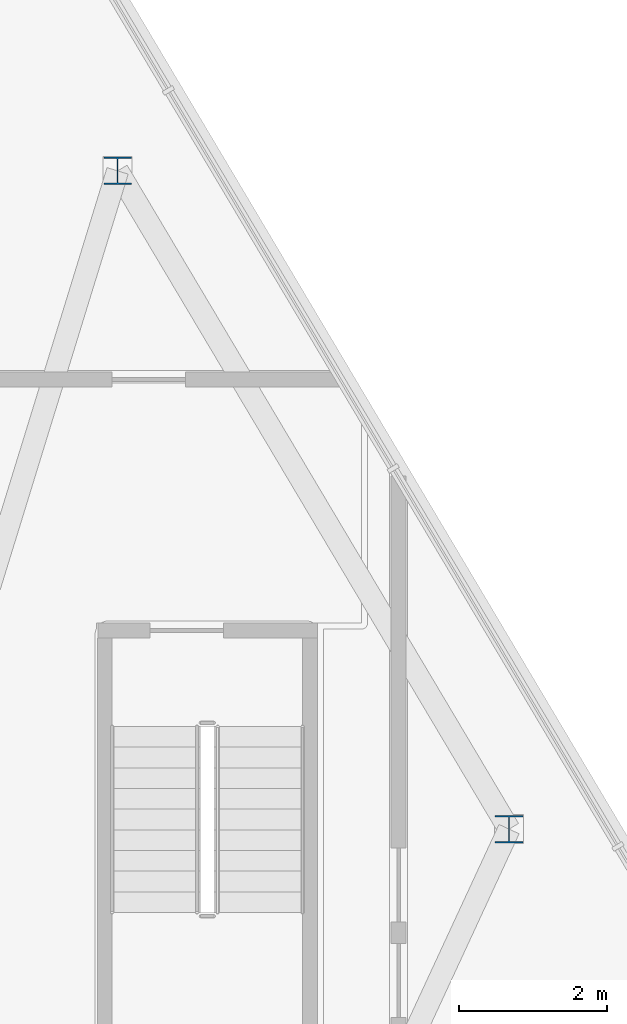
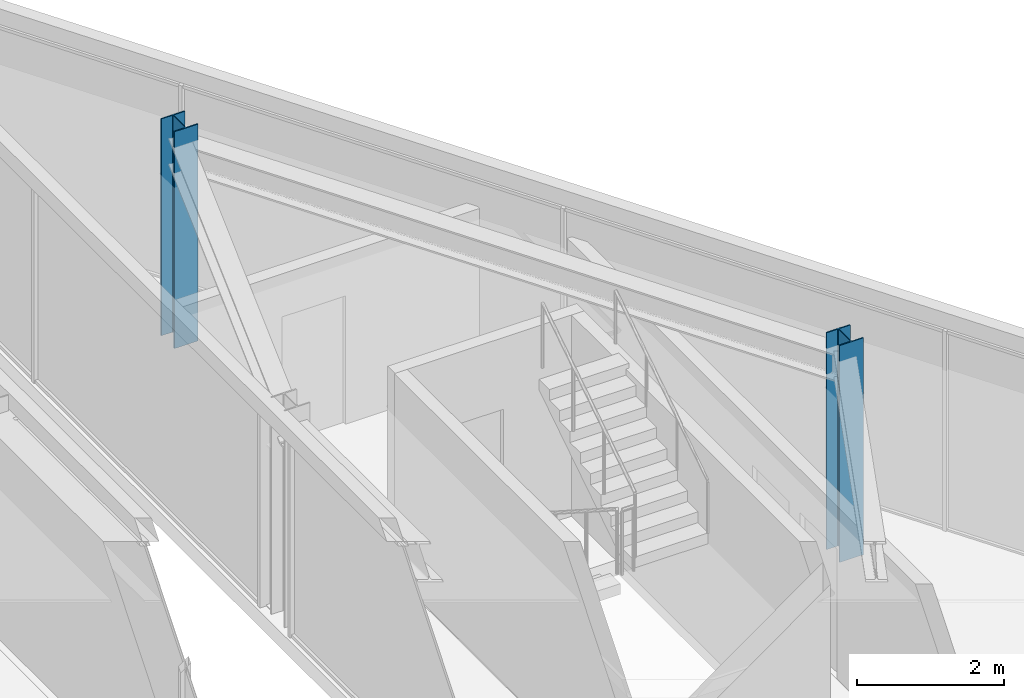
# One storey, part 2 of 15: 2 columns.
"""IFC4 building model written with IfcOpenShell, lengths in metres."""

import ifcopenshell
import ifcopenshell.guid

model = None  # the IFC model being written
_history = None  # IfcOwnerHistory: only IFC2X3 demands one
_inside = {}  # id of a spatial element -> (the spatial element, [elements in it])
_under = {}  # id of a project, library or spatial element -> (it, [spatial elements below it])
_declared = {}  # id of a project -> (the project, [libraries it declares])
_typed = {}  # id of a type object -> (the type object, [elements of that type])
_made_of = {}  # id of a material, layer set ... -> (it, [elements and type objects made of it])


def new_model(schema):
    """Start an empty IFC model of exactly this schema.

    Asked for "IFC4X3", IfcOpenShell would pick the latest addendum, in which some entities
    have other attributes; the version numbers below select the first issue.
    IFC2X3 requires an IfcOwnerHistory on every rooted entity: one is made here for all.
    """
    global model, _history
    if schema == "IFC4X3":
        model = ifcopenshell.file(schema_version=(4, 3, 0, 0))
    else:
        model = ifcopenshell.file(schema=schema)
    _inside.clear()
    _under.clear()
    _declared.clear()
    _typed.clear()
    _made_of.clear()
    _history = None
    if model.schema == "IFC2X3":
        org = make("IfcOrganization", Name="unknown")
        user = make(
            "IfcPersonAndOrganization",
            ThePerson=make("IfcPerson", FamilyName="unknown"),
            TheOrganization=org,
        )
        app = make(
            "IfcApplication",
            ApplicationDeveloper=org,
            Version="unknown",
            ApplicationFullName="unknown",
            ApplicationIdentifier="unknown",
        )
        _history = make(
            "IfcOwnerHistory",
            OwningUser=user,
            OwningApplication=app,
            ChangeAction="ADDED",
            CreationDate=0,
        )
    return model


def make(cls, **values):
    """One entity of the class cls with the attributes given. An attribute that is None is left unset."""
    return model.create_entity(
        cls, **{name: value for name, value in values.items() if value is not None}
    )


def rooted(cls, **values):
    """An entity with a GlobalId (a new one), such as an element, a storey or a relation."""
    return make(cls, GlobalId=ifcopenshell.guid.new(), OwnerHistory=_history, **values)


def si_unit(unit_type, name, prefix=None):
    """IfcSIUnit, for example si_unit("LENGTHUNIT", "METRE", prefix="MILLI")."""
    return make("IfcSIUnit", UnitType=unit_type, Prefix=prefix, Name=name)


def assignment(units):
    """IfcUnitAssignment: the units of a project."""
    return None if units is None else make("IfcUnitAssignment", Units=units)


def point(xyz):
    """IfcCartesianPoint."""
    return None if xyz is None else make("IfcCartesianPoint", Coordinates=xyz)


def direction(xyz):
    """IfcDirection."""
    return None if xyz is None else make("IfcDirection", DirectionRatios=xyz)


def frame(location, z_axis=None, x_axis=None):
    """IfcAxis2Placement3D, a coordinate frame: its origin and axes. An axis left out is left unset."""
    return make(
        "IfcAxis2Placement3D",
        Location=point(location),
        Axis=direction(z_axis),
        RefDirection=direction(x_axis),
    )


def frame_2d(location, x_axis=None):
    """IfcAxis2Placement2D, a coordinate frame in the plane: its origin and x axis."""
    return make(
        "IfcAxis2Placement2D", Location=point(location), RefDirection=direction(x_axis)
    )


def origin():
    """The frame at (0, 0, 0) with its axes left unset."""
    return frame((0.0, 0.0, 0.0))


def origin_2d():
    """The frame at (0, 0) in the plane with its x axis left unset."""
    return frame_2d((0.0, 0.0))


def place(relative_to, where):
    """IfcLocalPlacement: puts the frame where relative to a parent placement (None: the world)."""
    return make(
        "IfcLocalPlacement", PlacementRelTo=relative_to, RelativePlacement=where
    )


def context(
    kind, dimensions, precision=None, world=None, true_north=None, identifier=None
):
    """IfcGeometricRepresentationContext, for example the 3D "Model" context."""
    return make(
        "IfcGeometricRepresentationContext",
        ContextIdentifier=identifier,
        ContextType=kind,
        CoordinateSpaceDimension=dimensions,
        Precision=precision,
        WorldCoordinateSystem=world,
        TrueNorth=true_north,
    )


def subcontext(parent, identifier, kind, view, scale=None):
    """IfcGeometricRepresentationSubContext, for example "Body" below "Model"."""
    return make(
        "IfcGeometricRepresentationSubContext",
        ContextIdentifier=identifier,
        ContextType=kind,
        ParentContext=parent,
        TargetScale=scale,
        TargetView=view,
    )


def project(units=None, contexts=None):
    """IfcProject with its units and contexts."""
    return rooted(
        "IfcProject",
        Name="project",
        RepresentationContexts=contexts,
        UnitsInContext=assignment(units),
    )


def spatial(cls, under=None, at=None, **own):
    """A site, building, storey or space (cls), placed at a placement, below another one or the project."""
    s = rooted(cls, ObjectPlacement=at, **own)
    if under is not None:
        _under.setdefault(under.id(), (under, []))[1].append(s)
    return s


def profile(cls, at=None, kind="AREA", **sizes):
    """A parametric profile (cls). Its sizes go by their IFC names, for example OverallWidth=200.0."""
    return make(cls, ProfileType=kind, Position=at, **sizes)


def i_section(**sizes):
    """IfcIShapeProfileDef."""
    return profile("IfcIShapeProfileDef", **sizes)


def extrude(swept, where, along, depth):
    """IfcExtrudedAreaSolid: the profile swept, set in the frame where, extruded along a direction by depth."""
    return make(
        "IfcExtrudedAreaSolid",
        SweptArea=swept,
        Position=where,
        ExtrudedDirection=direction(along),
        Depth=depth,
    )


def shape(context_of_items, identifier, shape_type, items):
    """IfcShapeRepresentation: the items that make up one representation, for example the "Body"."""
    return make(
        "IfcShapeRepresentation",
        ContextOfItems=context_of_items,
        RepresentationIdentifier=identifier,
        RepresentationType=shape_type,
        Items=items,
    )


def material(Name=None, Category=None):
    """IfcMaterial."""
    return make("IfcMaterial", Name=Name, Category=Category)


def material_profile(
    of_material, cross_section, Name=None, Category=None, Priority=None
):
    """IfcMaterialProfile: a cross section and its material."""
    return make(
        "IfcMaterialProfile",
        Name=Name,
        Material=of_material,
        Profile=cross_section,
        Priority=Priority,
        Category=Category,
    )


def profile_set(profiles, Name=None, composite=None):
    """IfcMaterialProfileSet."""
    return make(
        "IfcMaterialProfileSet",
        Name=Name,
        MaterialProfiles=profiles,
        CompositeProfile=composite,
    )


def made_of(thing, what):
    """Note that an element or type object is made of a material, layer set ...; save() writes the relation."""
    if what is not None:
        _made_of.setdefault(what.id(), (what, []))[1].append(thing)
    return thing


def type_object(cls, material=None, **own):
    """A type object (cls), such as IfcWallType, which elements share."""
    return made_of(rooted(cls, **own), material)


def element(
    cls,
    number,
    at=None,
    inside=None,
    cuts=None,
    type_object=None,
    material=None,
    context=None,
    identifier="Body",
    shape_type=None,
    held_by="IfcProductDefinitionShape",
    body=None,
    shapes=None,
    **own,
):
    """One element of the class cls, such as IfcWall. Its Tag is "e" and its number.

    at: its placement. inside: the storey or other place that contains it. cuts: it is an
    opening in that element (IfcRelVoidsElement). A single representation is given by context,
    identifier, shape_type and body (its items); several are given by shapes. held_by: the class
    of the entity that holds the representations. save() writes the other relations.
    """
    e = rooted(cls, Tag="e%d" % number, ObjectPlacement=at, **own)
    if body is not None:
        shapes = [shape(context, identifier, shape_type, body)]
    if shapes is not None:
        e.Representation = make(held_by, Representations=shapes)
    if inside is not None:
        _inside.setdefault(inside.id(), (inside, []))[1].append(e)
    if cuts is not None:
        rooted(
            "IfcRelVoidsElement", RelatingBuildingElement=cuts, RelatedOpeningElement=e
        )
    if type_object is not None:
        _typed.setdefault(type_object.id(), (type_object, []))[1].append(e)
    return made_of(e, material)


def aggregate(whole, parts):
    """IfcRelAggregates: a whole, such as a stair, and the parts it consists of."""
    return rooted("IfcRelAggregates", RelatingObject=whole, RelatedObjects=parts)


def save(model, path):
    """Write the relations noted so far, then the file.

    IfcRelAggregates (storeys below a building ...), IfcRelContainedInSpatialStructure (elements
    in a storey), IfcRelDefinesByType, IfcRelAssociatesMaterial and IfcRelDeclares: one each for
    every whole, place, type object, material and project.
    """
    for whole, parts in _under.values():
        aggregate(whole, parts)
    for where, things in _inside.values():
        rooted(
            "IfcRelContainedInSpatialStructure",
            RelatedElements=things,
            RelatingStructure=where,
        )
    for kind, things in _typed.values():
        rooted("IfcRelDefinesByType", RelatedObjects=things, RelatingType=kind)
    for what, things in _made_of.values():
        rooted("IfcRelAssociatesMaterial", RelatedObjects=things, RelatingMaterial=what)
    for by, libraries in _declared.values():
        rooted("IfcRelDeclares", RelatingContext=by, RelatedDefinitions=libraries)
    model.write(path)


model = new_model("IFC4")

# Units and contexts
model_context = context("Model", 3, precision=1e-05, world=origin(), true_north=direction((0.0, 1.0)))
body_context = subcontext(model_context, "Body", "Model", "MODEL_VIEW")
ifc_project = project(units=[si_unit("LENGTHUNIT", "METRE"), si_unit("AREAUNIT", "SQUARE_METRE"), si_unit("VOLUMEUNIT", "CUBIC_METRE"), si_unit("PLANEANGLEUNIT", "RADIAN"), si_unit("MASSUNIT", "GRAM", prefix="KILO")], contexts=[model_context])

# Site, building, storey
site_placement = place(None, origin())
site = spatial("IfcSite", under=ifc_project, at=site_placement, CompositionType="ELEMENT")
building_placement = place(site_placement, origin())
building = spatial("IfcBuilding", under=site, at=building_placement, Name="Savorim Split Tower", CompositionType="ELEMENT")
storey_placement = place(building_placement, frame((0.0, 0.0, 308.39990234375)))
storey = spatial("IfcBuildingStorey", under=building, at=storey_placement, Name="Crown L82 Plant", CompositionType="ELEMENT", Elevation=308.39990234375)

# Columns
ifc_material = material(Name="Steel S355", Category="steel")
ifc_material_profile = material_profile(ifc_material, i_section(OverallWidth=0.3740234375, OverallDepth=0.3720703125, WebThickness=0.01220703125, FlangeThickness=0.02001953125, FilletRadius=0.014892578125, at=origin_2d()), Name="HD 360x196")
ifc_profile_set = profile_set([ifc_material_profile], Name="Steel S355")
column_type = type_object("IfcColumnType", Name="COL-HD-196", PredefinedType="COLUMN", material=ifc_profile_set)
for number, where, z_axis, x_axis, name in (
    (1, (18.44580078125, -4.239990234375, 0.0), (0.0, 0.0, 1.0), (1.0, 0.0, 0.0), "Crown L82 Plant East Crown Column EC-2"),
    (2, (13.144287109375, 4.675537109375, 0.0), (0.0, 0.0, 1.0), (1.0, 0.0, 0.0), "Crown L82 Plant East Crown Column EC-3"),
):
    element("IfcColumn", number, at=place(storey_placement, frame(where, z_axis=z_axis, x_axis=x_axis)), inside=storey, type_object=column_type, Name=name, PredefinedType="COLUMN", context=body_context, shape_type="SweptSolid", body=[
        extrude(i_section(OverallWidth=0.3740234375, OverallDepth=0.3720703125, WebThickness=0.01220703125, FlangeThickness=0.02001953125, FilletRadius=0.014892578125, at=origin_2d()), origin(), (0.0, 0.0, 1.0), 3.60009765625),
    ])

save(model, "model.ifc")
